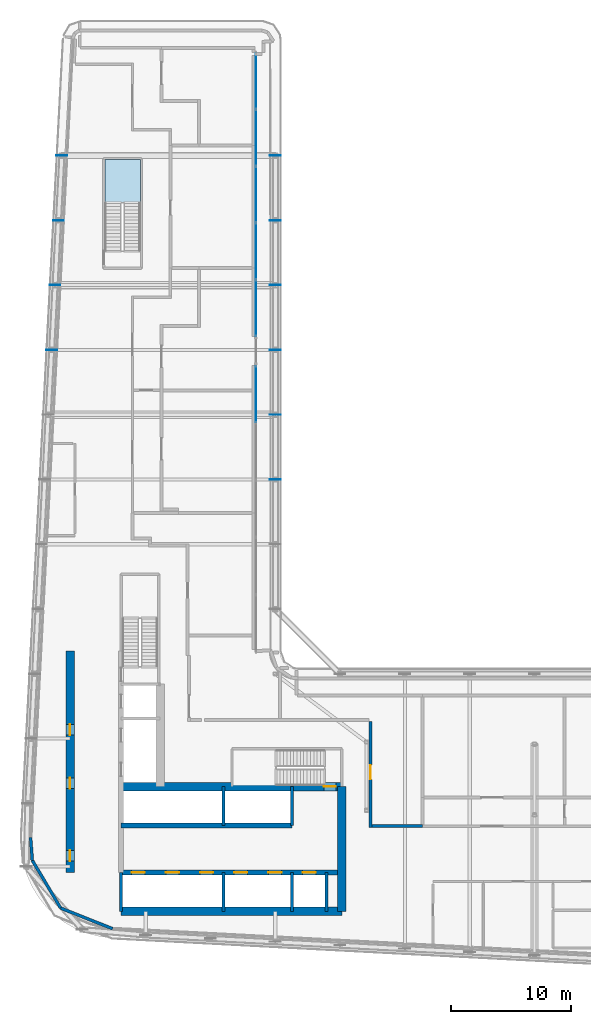
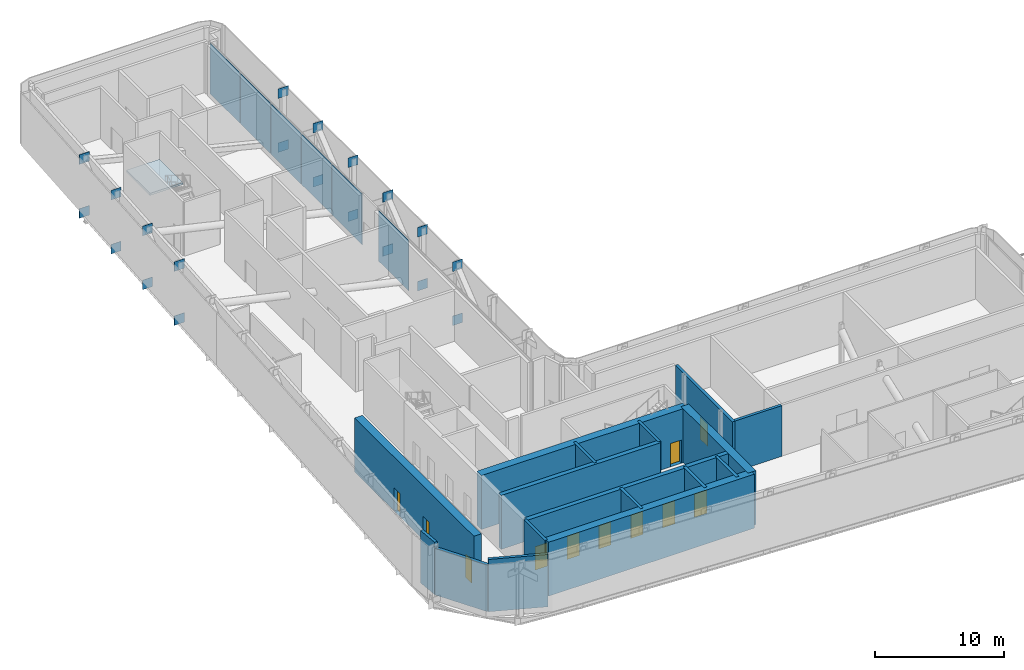
# One storey, part 12 of 23: 26 plates, 17 walls, 11 doors, 1 slab, 11 openings, 3 elements without a shape of their own.
"""IFC4 building model written with IfcOpenShell, lengths in metres."""

from ifc_helpers import new_model, si_unit, direction, frame, frame_2d, origin, origin_2d, place, context, subcontext, project, spatial, polyline, rectangle, outline, extrude, source, transform, mapped, material, layer, layer_set, type_object, element, fill, aggregate, save


model = new_model("IFC4")

# Units and contexts
model_context = context("Model", 3, precision=1e-05, world=origin(), true_north=direction((0.0, 1.0)))
body_context = subcontext(model_context, "Body", "Model", "MODEL_VIEW")
ifc_project = project(units=[si_unit("LENGTHUNIT", "METRE"), si_unit("AREAUNIT", "SQUARE_METRE"), si_unit("VOLUMEUNIT", "CUBIC_METRE"), si_unit("PLANEANGLEUNIT", "RADIAN"), si_unit("MASSUNIT", "GRAM", prefix="KILO")], contexts=[model_context])

# Site, building, storey
site_placement = place(None, origin())
site = spatial("IfcSite", under=ifc_project, at=site_placement, CompositionType="ELEMENT")
building_placement = place(site_placement, origin())
building = spatial("IfcBuilding", under=site, at=building_placement, Name="Kheshtan School and Residences Tower", CompositionType="ELEMENT")
storey_placement = place(building_placement, frame((0.0, 0.0, 211.10009765625)))
storey = spatial("IfcBuildingStorey", under=building, at=storey_placement, Name="L49", CompositionType="ELEMENT", Elevation=211.10009765625)

# Curtain wall, plates
ifc_material_1 = material(Name="Clear low-e glass in thermally broken aluminium frame", Category="aluminium")
ifc_layer_1 = layer(ifc_material_1, 0.25)
ifc_layer_set_1 = layer_set([ifc_layer_1], Name="Curtain wall CW-G")
curtain_wall_type = type_object("IfcCurtainWallType", Name="Curtain wall CW-G", PredefinedType="NOTDEFINED", material=ifc_layer_set_1)
curtain_wall_1_placement = place(storey_placement, origin())
curtain_wall_1 = element("IfcCurtainWall", 1, at=curtain_wall_1_placement, inside=storey, type_object=curtain_wall_type, Name="Curtain wall CWG19", PredefinedType="NOTDEFINED")
ifc_layer_2 = layer(ifc_material_1, 0.0380859375)
ifc_layer_set_2 = layer_set([ifc_layer_2], Name="CW-G glass panel")
plate_type_1 = type_object("IfcPlateType", Name="CW-G glass panel", PredefinedType="CURTAIN_PANEL", material=ifc_layer_set_2)
plate_1_placement = place(storey_placement, frame((46.0, 95.014892578125, 0.0), z_axis=(0.0, 0.0, 1.0), x_axis=(0.0, -1.0, 0.0)))
plate_1 = element("IfcPlate", 2, at=plate_1_placement, type_object=plate_type_1, Name="CWG19 panel 1.1", PredefinedType="CURTAIN_PANEL", context=body_context, shape_type="SweptSolid", body=[
    extrude(rectangle(XDim=4.64990234375, YDim=0.0380859375, at=origin_2d()), origin(), (0.0, 0.0, 1.0), 4.7900390625),
])
ifc_material_2 = material(Name="Insulated terracotta infill panel", Category="masonry")
ifc_layer_3 = layer(ifc_material_2, 0.0380859375)
ifc_layer_set_3 = layer_set([ifc_layer_3], Name="CW-G insulated infill panel")
plate_type_2 = type_object("IfcPlateType", Name="CW-G insulated infill panel", PredefinedType="CURTAIN_PANEL", material=ifc_layer_set_3)
plate_2_placement = place(storey_placement, frame((46.0, 90.2900390625, 0.0), z_axis=(0.0, 0.0, 1.0), x_axis=(0.0, -1.0, 0.0)))
plate_2 = element("IfcPlate", 3, at=plate_2_placement, type_object=plate_type_2, Name="CWG19 infill 2.1", PredefinedType="CURTAIN_PANEL", context=body_context, shape_type="SweptSolid", body=[
    extrude(rectangle(XDim=4.679931640625, YDim=0.0380859375, at=origin_2d()), origin(), (0.0, 0.0, 1.0), 4.7900390625),
])
plate_3_placement = place(storey_placement, frame((46.0, 85.550048828125, 0.0), z_axis=(0.0, 0.0, 1.0), x_axis=(0.0, -1.0, 0.0)))
plate_3 = element("IfcPlate", 4, at=plate_3_placement, type_object=plate_type_2, Name="CWG19 infill 3.1", PredefinedType="CURTAIN_PANEL", context=body_context, shape_type="SweptSolid", body=[
    extrude(rectangle(XDim=4.679931640625, YDim=0.0380859375, at=origin_2d()), origin(), (0.0, 0.0, 1.0), 4.7900390625),
])
plate_4_placement = place(storey_placement, frame((46.0, 80.81005859375, 0.0), z_axis=(0.0, 0.0, 1.0), x_axis=(0.0, -1.0, 0.0)))
plate_4 = element("IfcPlate", 5, at=plate_4_placement, type_object=plate_type_2, Name="CWG19 infill 4.1", PredefinedType="CURTAIN_PANEL", context=body_context, shape_type="SweptSolid", body=[
    extrude(rectangle(XDim=4.679931640625, YDim=0.0380859375, at=origin_2d()), origin(), (0.0, 0.0, 1.0), 4.7900390625),
])
plate_5_placement = place(storey_placement, frame((46.0, 76.0849609375, 0.0), z_axis=(0.0, 0.0, 1.0), x_axis=(0.0, -1.0, 0.0)))
plate_5 = element("IfcPlate", 6, at=plate_5_placement, type_object=plate_type_2, Name="CWG19 infill 5.1", PredefinedType="CURTAIN_PANEL", context=body_context, shape_type="SweptSolid", body=[
    extrude(rectangle(XDim=4.64990234375, YDim=0.0380859375, at=origin_2d()), origin(), (0.0, 0.0, 1.0), 4.7900390625),
])
aggregate(curtain_wall_1, [plate_1, plate_2, plate_3, plate_4, plate_5])

# Curtain wall, plate
curtain_wall_2_placement = place(storey_placement, origin())
curtain_wall_2 = element("IfcCurtainWall", 7, at=curtain_wall_2_placement, inside=storey, type_object=curtain_wall_type, Name="Curtain wall CWG19a", PredefinedType="NOTDEFINED")
plate_6_placement = place(storey_placement, frame((46.0, 68.89794921875, 0.0), z_axis=(0.0, 0.0, 1.0), x_axis=(0.0, -1.0, 0.0)))
plate_6 = element("IfcPlate", 8, at=plate_6_placement, type_object=plate_type_2, Name="CWG19a infill 1.1", PredefinedType="CURTAIN_PANEL", context=body_context, shape_type="SweptSolid", body=[
    extrude(rectangle(XDim=4.68408203125, YDim=0.0380859375, at=origin_2d()), origin(), (0.0, 0.0, 1.0), 4.7900390625),
])
aggregate(curtain_wall_2, [plate_6])

# Plates
ifc_material_3 = material(Name="Steel ASTM A992 Grade 50", Category="steel")
ifc_layer_4 = layer(ifc_material_3, 0.02490234375)
ifc_layer_set_4 = layer_set([ifc_layer_4], Name="Gusset plate 25 Steel ASTM A992 Grade 50")
plate_type_3 = type_object("IfcPlateType", Name="Gusset plate 25 Steel ASTM A992 Grade 50", PredefinedType="SHEET", material=ifc_layer_set_4)
for number, where, z_axis, x_axis, name in (
    (9, (47.60009765625, 88.800048828125, -0.800048828125), (0.0, 0.0, 1.0), (1.0, 0.0, 0.0), "Gusset plate 1"),
    (10, (47.60009765625, 83.39990234375, 4.300048828125), (0.0, 0.0, 1.0), (1.0, 0.0, 0.0), "Gusset plate 2"),
    (11, (47.60009765625, 83.39990234375, -0.800048828125), (0.0, 0.0, 1.0), (1.0, 0.0, 0.0), "Gusset plate 3"),
    (12, (47.60009765625, 78.0, 4.300048828125), (0.0, 0.0, 1.0), (1.0, 0.0, 0.0), "Gusset plate 4"),
    (13, (47.60009765625, 78.0, -0.800048828125), (0.0, 0.0, 1.0), (1.0, 0.0, 0.0), "Gusset plate 5"),
    (14, (47.60009765625, 72.60009765625, 4.300048828125), (0.0, 0.0, 1.0), (1.0, 0.0, 0.0), "Gusset plate 6"),
    (15, (47.60009765625, 72.60009765625, -0.800048828125), (0.0, 0.0, 1.0), (1.0, 0.0, 0.0), "Gusset plate 7"),
    (16, (47.60009765625, 67.199951171875, 4.300048828125), (0.0, 0.0, 1.0), (1.0, 0.0, 0.0), "Gusset plate 8"),
    (17, (47.60009765625, 67.199951171875, -0.800048828125), (0.0, 0.0, 1.0), (1.0, 0.0, 0.0), "Gusset plate 9"),
    (18, (47.60009765625, 61.800048828125, 4.300048828125), (0.0, 0.0, 1.0), (1.0, 0.0, 0.0), "Gusset plate 10"),
    (19, (47.60009765625, 61.800048828125, -0.800048828125), (0.0, 0.0, 1.0), (1.0, 0.0, 0.0), "Gusset plate 11"),
    (20, (28.9580078125, 72.60009765625, 4.300048828125), (0.0, 0.0, 1.0), (1.0, 0.0, 0.0), "Gusset plate 68"),
    (21, (28.9580078125, 72.60009765625, -0.800048828125), (0.0, 0.0, 1.0), (1.0, 0.0, 0.0), "Gusset plate 69"),
    (22, (29.242919921875, 78.0, 4.300048828125), (0.0, 0.0, 1.0), (1.0, 0.0, 0.0), "Gusset plate 70"),
    (23, (29.242919921875, 78.0, -0.800048828125), (0.0, 0.0, 1.0), (1.0, 0.0, 0.0), "Gusset plate 71"),
    (24, (29.527099609375, 83.39990234375, 4.300048828125), (0.0, 0.0, 1.0), (1.0, 0.0, 0.0), "Gusset plate 72"),
    (25, (29.527099609375, 83.39990234375, -0.800048828125), (0.0, 0.0, 1.0), (1.0, 0.0, 0.0), "Gusset plate 73"),
    (26, (29.81103515625, 88.800048828125, 4.300048828125), (0.0, 0.0, 1.0), (1.0, 0.0, 0.0), "Gusset plate 74"),
    (27, (29.81103515625, 88.800048828125, -0.800048828125), (0.0, 0.0, 1.0), (1.0, 0.0, 0.0), "Gusset plate 75"),
    (28, (47.60009765625, 88.800048828125, 4.300048828125), (0.0, 0.0, 1.0), (1.0, 0.0, 0.0), "Gusset plate 76"),
):
    element("IfcPlate", number, at=place(storey_placement, frame(where, z_axis=z_axis, x_axis=x_axis)), inside=storey, type_object=plate_type_3, Name=name, PredefinedType="SHEET", context=body_context, shape_type="SweptSolid", body=[
        extrude(rectangle(XDim=0.89990234375, YDim=0.02490234375, at=origin_2d()), origin(), (0.0, 0.0, 1.0), 0.89990234375),
    ])

# Stair, slab
ifc_material_4 = material(Name="Concrete C40/50", Category="concrete")
stair_type = type_object("IfcStairType", Name="Exit stair, half-turn", PredefinedType="HALF_TURN_STAIR", material=ifc_material_4)
stair_placement = place(storey_placement, origin())
stair = element("IfcStair", 29, at=stair_placement, inside=storey, type_object=stair_type, Name="L49 Protected Exit Stair ST3", PredefinedType="HALF_TURN_STAIR")
ifc_layer_5 = layer(ifc_material_4, 0.199951171875)
ifc_layer_set_5 = layer_set([ifc_layer_5], Name="Stair landing 200 Concrete C40/50")
slab_type = type_object("IfcSlabType", Name="Stair landing 200 Concrete C40/50", PredefinedType="LANDING", material=ifc_layer_set_5)
slab_placement = place(storey_placement, frame((0.0, 0.0, 2.349853515625)))
slab = element("IfcSlab", 30, at=slab_placement, type_object=slab_type, Name="ST3 landing 1", PredefinedType="LANDING", context=body_context, shape_type="SweptSolid", body=[
    extrude(outline(polyline([(36.35009765625, 84.820068359375), (36.35009765625, 88.4599609375), (33.39990234375, 88.4599609375), (33.39990234375, 84.820068359375), (36.35009765625, 84.820068359375)])), origin(), (0.0, 0.0, 1.0), 0.199951171875),
])
aggregate(stair, [slab])

# Wall, openings, doors
ifc_material_5 = material(Name="Concrete C50/60", Category="concrete")
ifc_layer_6 = layer(ifc_material_5, 0.39990234375)
ifc_layer_set_6 = layer_set([ifc_layer_6], Name="Core wall 400 Concrete C50/60")
wall_type_1 = type_object("IfcWallType", Name="Core wall 400 Concrete C50/60", PredefinedType="SHEAR", material=ifc_layer_set_6)
wall_1_placement = place(storey_placement, frame((34.75, 29.050048828125, 0.0), z_axis=(0.0, 0.0, 1.0), x_axis=(1.0, 0.0, 0.0)))
wall_1 = element("IfcWall", 31, at=wall_1_placement, inside=storey, type_object=wall_type_1, Name="Core wall CW-HALL-S1", PredefinedType="SHEAR", context=body_context, shape_type="SweptSolid", body=[
    extrude(rectangle(XDim=18.39990234375, YDim=0.39990234375, at=frame_2d((9.199951171875, 0.0))), origin(), (0.0, 0.0, 1.0), 5.099853515625),
])
opening_1_placement = place(wall_1_placement, frame((0.875, 0.0, 0.0)))
opening_1 = element("IfcOpeningElement", 32, at=opening_1_placement, cuts=wall_1, Name="Opening LD", PredefinedType="OPENING", context=body_context, shape_type="SweptSolid", body=[
    extrude(rectangle(XDim=1.10009765625, YDim=2.199951171875, at=frame_2d((0.550048828125, 1.10009765625))), frame((0.0, 0.2099609375, 0.0), z_axis=(0.0, -1.0, 0.0), x_axis=(1.0, 0.0, 0.0)), (0.0, 0.0, 1.0), 0.419921875),
])
opening_2_placement = place(wall_1_placement, frame((3.72509765625, 0.0, 0.0)))
opening_2 = element("IfcOpeningElement", 33, at=opening_2_placement, cuts=wall_1, Name="Opening LD", PredefinedType="OPENING", context=body_context, shape_type="SweptSolid", body=[
    extrude(rectangle(XDim=1.10009765625, YDim=2.199951171875, at=frame_2d((0.550048828125, 1.10009765625))), frame((0.0, 0.2099609375, 0.0), z_axis=(0.0, -1.0, 0.0), x_axis=(1.0, 0.0, 0.0)), (0.0, 0.0, 1.0), 0.419921875),
])
opening_3_placement = place(wall_1_placement, frame((6.574951171875, 0.0, 0.0)))
opening_3 = element("IfcOpeningElement", 34, at=opening_3_placement, cuts=wall_1, Name="Opening LD", PredefinedType="OPENING", context=body_context, shape_type="SweptSolid", body=[
    extrude(rectangle(XDim=1.10009765625, YDim=2.199951171875, at=frame_2d((0.550048828125, 1.10009765625))), frame((0.0, 0.2099609375, 0.0), z_axis=(0.0, -1.0, 0.0), x_axis=(1.0, 0.0, 0.0)), (0.0, 0.0, 1.0), 0.419921875),
])
opening_4_placement = place(wall_1_placement, frame((9.425048828125, 0.0, 0.0)))
opening_4 = element("IfcOpeningElement", 35, at=opening_4_placement, cuts=wall_1, Name="Opening LD", PredefinedType="OPENING", context=body_context, shape_type="SweptSolid", body=[
    extrude(rectangle(XDim=1.10009765625, YDim=2.199951171875, at=frame_2d((0.550048828125, 1.10009765625))), frame((0.0, 0.2099609375, 0.0), z_axis=(0.0, -1.0, 0.0), x_axis=(1.0, 0.0, 0.0)), (0.0, 0.0, 1.0), 0.419921875),
])
opening_5_placement = place(wall_1_placement, frame((12.27490234375, 0.0, 0.0)))
opening_5 = element("IfcOpeningElement", 36, at=opening_5_placement, cuts=wall_1, Name="Opening LD", PredefinedType="OPENING", context=body_context, shape_type="SweptSolid", body=[
    extrude(rectangle(XDim=1.10009765625, YDim=2.199951171875, at=frame_2d((0.550048828125, 1.10009765625))), frame((0.0, 0.2099609375, 0.0), z_axis=(0.0, -1.0, 0.0), x_axis=(1.0, 0.0, 0.0)), (0.0, 0.0, 1.0), 0.419921875),
])
opening_6_placement = place(wall_1_placement, frame((15.125, 0.0, 0.0)))
opening_6 = element("IfcOpeningElement", 37, at=opening_6_placement, cuts=wall_1, Name="Opening LD", PredefinedType="OPENING", context=body_context, shape_type="SweptSolid", body=[
    extrude(rectangle(XDim=1.10009765625, YDim=2.199951171875, at=frame_2d((0.550048828125, 1.10009765625))), frame((0.0, 0.2099609375, 0.0), z_axis=(0.0, -1.0, 0.0), x_axis=(1.0, 0.0, 0.0)), (0.0, 0.0, 1.0), 0.419921875),
])
ifc_material_6 = material(Name="Stainless steel door leaves", Category="steel")
door_type_1 = type_object("IfcDoorType", Name="Lift landing door 1100", OperationType="SLIDING_TO_LEFT", PredefinedType="DOOR", material=ifc_material_6)
shared_shape_1 = source(origin(), body_context, "Body", "SweptSolid", [
    extrude(rectangle(XDim=1.10009765625, YDim=2.199951171875, at=frame_2d((0.550048828125, 1.10009765625))), frame((0.0, 0.02490234375, 0.0), z_axis=(0.0, -1.0, 0.0), x_axis=(1.0, 0.0, 0.0)), (0.0, 0.0, 1.0), 0.050048828125),
])
door_1_placement = place(opening_1_placement, origin())
door_1 = element("IfcDoor", 38, at=door_1_placement, inside=storey, type_object=door_type_1, Name="Lift P7 landing door", OperationType="SLIDING_TO_LEFT", OverallHeight=2.199951171875, OverallWidth=1.10009765625, PredefinedType="DOOR", context=body_context, shape_type="MappedRepresentation", body=[
    mapped(shared_shape_1, transform((0.0, 0.0, 0.0), x_axis=(1.0, 0.0, 0.0), y_axis=(0.0, 1.0, 0.0), z_axis=(0.0, 0.0, 1.0), scale=1.0)),
])
fill(opening_1, door_1)
door_2_placement = place(opening_2_placement, origin())
door_2 = element("IfcDoor", 39, at=door_2_placement, inside=storey, type_object=door_type_1, Name="Lift P8 landing door", OperationType="SLIDING_TO_LEFT", OverallHeight=2.199951171875, OverallWidth=1.10009765625, PredefinedType="DOOR", context=body_context, shape_type="MappedRepresentation", body=[
    mapped(shared_shape_1, transform((0.0, 0.0, 0.0), x_axis=(1.0, 0.0, 0.0), y_axis=(0.0, 1.0, 0.0), z_axis=(0.0, 0.0, 1.0), scale=1.0)),
])
fill(opening_2, door_2)
door_3_placement = place(opening_3_placement, origin())
door_3 = element("IfcDoor", 40, at=door_3_placement, inside=storey, type_object=door_type_1, Name="Lift P9 landing door", OperationType="SLIDING_TO_LEFT", OverallHeight=2.199951171875, OverallWidth=1.10009765625, PredefinedType="DOOR", context=body_context, shape_type="MappedRepresentation", body=[
    mapped(shared_shape_1, transform((0.0, 0.0, 0.0), x_axis=(1.0, 0.0, 0.0), y_axis=(0.0, 1.0, 0.0), z_axis=(0.0, 0.0, 1.0), scale=1.0)),
])
fill(opening_3, door_3)
door_4_placement = place(opening_4_placement, origin())
door_4 = element("IfcDoor", 41, at=door_4_placement, inside=storey, type_object=door_type_1, Name="Lift P10 landing door", OperationType="SLIDING_TO_LEFT", OverallHeight=2.199951171875, OverallWidth=1.10009765625, PredefinedType="DOOR", context=body_context, shape_type="MappedRepresentation", body=[
    mapped(shared_shape_1, transform((0.0, 0.0, 0.0), x_axis=(1.0, 0.0, 0.0), y_axis=(0.0, 1.0, 0.0), z_axis=(0.0, 0.0, 1.0), scale=1.0)),
])
fill(opening_4, door_4)
door_5_placement = place(opening_5_placement, origin())
door_5 = element("IfcDoor", 42, at=door_5_placement, inside=storey, type_object=door_type_1, Name="Lift P11 landing door", OperationType="SLIDING_TO_LEFT", OverallHeight=2.199951171875, OverallWidth=1.10009765625, PredefinedType="DOOR", context=body_context, shape_type="MappedRepresentation", body=[
    mapped(shared_shape_1, transform((0.0, 0.0, 0.0), x_axis=(1.0, 0.0, 0.0), y_axis=(0.0, 1.0, 0.0), z_axis=(0.0, 0.0, 1.0), scale=1.0)),
])
fill(opening_5, door_5)
door_6_placement = place(opening_6_placement, origin())
door_6 = element("IfcDoor", 43, at=door_6_placement, inside=storey, type_object=door_type_1, Name="Lift FFL2 landing door", OperationType="SLIDING_TO_LEFT", OverallHeight=2.199951171875, OverallWidth=1.10009765625, PredefinedType="DOOR", context=body_context, shape_type="MappedRepresentation", body=[
    mapped(shared_shape_1, transform((0.0, 0.0, 0.0), x_axis=(1.0, 0.0, 0.0), y_axis=(0.0, 1.0, 0.0), z_axis=(0.0, 0.0, 1.0), scale=1.0)),
])
fill(opening_6, door_6)

# Walls
wall_2_placement = place(storey_placement, frame((34.75, 32.949951171875, 0.0), z_axis=(0.0, 0.0, 1.0), x_axis=(1.0, 0.0, 0.0)))
element("IfcWall", 44, at=wall_2_placement, inside=storey, type_object=wall_type_1, Name="Core wall CW-HALL-S2", PredefinedType="SHEAR", context=body_context, shape_type="SweptSolid", body=[
    extrude(rectangle(XDim=14.25, YDim=0.39990234375, at=frame_2d((7.125, 0.0))), origin(), (0.0, 0.0, 1.0), 5.099853515625),
])
ifc_material_7 = material(Name="Concrete C70/85", Category="concrete")
ifc_layer_7 = layer(ifc_material_7, 0.699951171875)
ifc_layer_set_7 = layer_set([ifc_layer_7], Name="Core wall 700 Concrete C70/85")
wall_type_2 = type_object("IfcWallType", Name="Core wall 700 Concrete C70/85", PredefinedType="SHEAR", material=ifc_layer_set_7)
wall_3_placement = place(storey_placement, frame((34.75, 25.800048828125, 0.0), z_axis=(0.0, 0.0, 1.0), x_axis=(1.0, 0.0, 0.0)))
element("IfcWall", 45, at=wall_3_placement, inside=storey, type_object=wall_type_2, Name="Core wall CW-REAR-S", PredefinedType="SHEAR", context=body_context, shape_type="SweptSolid", body=[
    extrude(rectangle(XDim=18.39990234375, YDim=0.699951171875, at=frame_2d((9.199951171875, 0.0))), origin(), (0.0, 0.0, 1.0), 5.099853515625),
])

# Wall, opening, door
wall_4_placement = place(storey_placement, frame((34.75, 36.199951171875, 0.0), z_axis=(0.0, 0.0, 1.0), x_axis=(1.0, 0.0, 0.0)))
wall_4 = element("IfcWall", 46, at=wall_4_placement, inside=storey, type_object=wall_type_2, Name="Core wall CW-FRONT-S", PredefinedType="SHEAR", context=body_context, shape_type="SweptSolid", body=[
    extrude(rectangle(XDim=18.39990234375, YDim=0.699951171875, at=frame_2d((9.199951171875, 0.0))), origin(), (0.0, 0.0, 1.0), 5.099853515625),
])
opening_7_placement = place(wall_4_placement, frame((16.89990234375, 0.0, 0.0)))
opening_7 = element("IfcOpeningElement", 47, at=opening_7_placement, cuts=wall_4, Name="Opening ST1D", PredefinedType="OPENING", context=body_context, shape_type="SweptSolid", body=[
    extrude(rectangle(XDim=1.0, YDim=2.199951171875, at=frame_2d((0.5, 1.10009765625))), frame((0.0, 0.35986328125, 0.0), z_axis=(0.0, -1.0, 0.0), x_axis=(1.0, 0.0, 0.0)), (0.0, 0.0, 1.0), 0.719970703125),
])
ifc_material_8 = material(Name="Steel door leaf, galvanised", Category="steel")
door_type_2 = type_object("IfcDoorType", Name="Stair door 1100 steel 90 min", OperationType="SINGLE_SWING_LEFT", PredefinedType="DOOR", material=ifc_material_8)
shared_shape_2 = source(origin(), body_context, "Body", "SweptSolid", [
    extrude(rectangle(XDim=1.0, YDim=2.199951171875, at=frame_2d((0.5, 1.10009765625))), frame((0.0, 0.02490234375, 0.0), z_axis=(0.0, -1.0, 0.0), x_axis=(1.0, 0.0, 0.0)), (0.0, 0.0, 1.0), 0.050048828125),
])
door_7_placement = place(opening_7_placement, origin())
door_7 = element("IfcDoor", 48, at=door_7_placement, inside=storey, type_object=door_type_2, Name="Stair ST1 door", OperationType="SINGLE_SWING_RIGHT", OverallHeight=2.199951171875, OverallWidth=1.0, PredefinedType="DOOR", context=body_context, shape_type="MappedRepresentation", body=[
    mapped(shared_shape_2, transform((0.0, 0.0, 0.0), x_axis=(1.0, 0.0, 0.0), y_axis=(0.0, 1.0, 0.0), z_axis=(0.0, 0.0, 1.0), scale=1.0)),
])
fill(opening_7, door_7)

# Wall, openings, doors
wall_5_placement = place(storey_placement, frame((30.5, 29.050048828125, 0.0), z_axis=(0.0, 0.0, 1.0), x_axis=(0.0, 1.0, 0.0)))
wall_5 = element("IfcWall", 49, at=wall_5_placement, inside=storey, type_object=wall_type_2, Name="Core wall CW-REAR-W", PredefinedType="SHEAR", context=body_context, shape_type="SweptSolid", body=[
    extrude(rectangle(XDim=18.449951171875, YDim=0.699951171875, at=frame_2d((9.22509765625, 0.0))), origin(), (0.0, 0.0, 1.0), 5.099853515625),
])
opening_8_placement = place(wall_5_placement, frame((0.944091796875, 0.0, 0.0)))
opening_8 = element("IfcOpeningElement", 50, at=opening_8_placement, cuts=wall_5, Name="Opening SR90", PredefinedType="OPENING", context=body_context, shape_type="SweptSolid", body=[
    extrude(rectangle(XDim=0.89990234375, YDim=2.199951171875, at=frame_2d((0.449951171875, 1.10009765625))), frame((0.0, 0.35986328125, 0.0), z_axis=(0.0, -1.0, 0.0), x_axis=(1.0, 0.0, 0.0)), (0.0, 0.0, 1.0), 0.719970703125),
])
opening_9_placement = place(wall_5_placement, frame((6.97509765625, 0.0, 0.0)))
opening_9 = element("IfcOpeningElement", 51, at=opening_9_placement, cuts=wall_5, Name="Opening SR90", PredefinedType="OPENING", context=body_context, shape_type="SweptSolid", body=[
    extrude(rectangle(XDim=0.89990234375, YDim=2.199951171875, at=frame_2d((0.449951171875, 1.10009765625))), frame((0.0, 0.35986328125, 0.0), z_axis=(0.0, -1.0, 0.0), x_axis=(1.0, 0.0, 0.0)), (0.0, 0.0, 1.0), 0.719970703125),
])
opening_10_placement = place(wall_5_placement, frame((11.449951171875, 0.0, 0.0)))
opening_10 = element("IfcOpeningElement", 52, at=opening_10_placement, cuts=wall_5, Name="Opening SR90", PredefinedType="OPENING", context=body_context, shape_type="SweptSolid", body=[
    extrude(rectangle(XDim=0.89990234375, YDim=2.199951171875, at=frame_2d((0.449951171875, 1.10009765625))), frame((0.0, 0.35986328125, 0.0), z_axis=(0.0, -1.0, 0.0), x_axis=(1.0, 0.0, 0.0)), (0.0, 0.0, 1.0), 0.719970703125),
])
door_type_3 = type_object("IfcDoorType", Name="Service room door 900 steel 90 min", OperationType="SINGLE_SWING_LEFT", PredefinedType="DOOR", material=ifc_material_8)
shared_shape_3 = source(origin(), body_context, "Body", "SweptSolid", [
    extrude(rectangle(XDim=0.89990234375, YDim=2.199951171875, at=frame_2d((0.449951171875, 1.10009765625))), frame((0.0, 0.02490234375, 0.0), z_axis=(0.0, -1.0, 0.0), x_axis=(1.0, 0.0, 0.0)), (0.0, 0.0, 1.0), 0.050048828125),
])
door_8_placement = place(opening_8_placement, origin())
door_8 = element("IfcDoor", 53, at=door_8_placement, inside=storey, type_object=door_type_3, Name="Service room door", OperationType="SINGLE_SWING_LEFT", OverallHeight=2.199951171875, OverallWidth=0.89990234375, PredefinedType="DOOR", context=body_context, shape_type="MappedRepresentation", body=[
    mapped(shared_shape_3, transform((0.0, 0.0, 0.0), x_axis=(1.0, 0.0, 0.0), y_axis=(0.0, 1.0, 0.0), z_axis=(0.0, 0.0, 1.0), scale=1.0)),
])
fill(opening_8, door_8)
door_9_placement = place(opening_9_placement, origin())
door_9 = element("IfcDoor", 54, at=door_9_placement, inside=storey, type_object=door_type_3, Name="Service room door", OperationType="SINGLE_SWING_RIGHT", OverallHeight=2.199951171875, OverallWidth=0.89990234375, PredefinedType="DOOR", context=body_context, shape_type="MappedRepresentation", body=[
    mapped(shared_shape_3, transform((0.0, 0.0, 0.0), x_axis=(1.0, 0.0, 0.0), y_axis=(0.0, 1.0, 0.0), z_axis=(0.0, 0.0, 1.0), scale=1.0)),
])
fill(opening_9, door_9)
door_10_placement = place(opening_10_placement, origin())
door_10 = element("IfcDoor", 55, at=door_10_placement, inside=storey, type_object=door_type_3, Name="Service room door", OperationType="SINGLE_SWING_RIGHT", OverallHeight=2.199951171875, OverallWidth=0.89990234375, PredefinedType="DOOR", context=body_context, shape_type="MappedRepresentation", body=[
    mapped(shared_shape_3, transform((0.0, 0.0, 0.0), x_axis=(1.0, 0.0, 0.0), y_axis=(0.0, 1.0, 0.0), z_axis=(0.0, 0.0, 1.0), scale=1.0)),
])
fill(opening_10, door_10)

# Walls
wall_6_placement = place(storey_placement, frame((53.14990234375, 25.800048828125, 0.0), z_axis=(0.0, 0.0, 1.0), x_axis=(0.0, 1.0, 0.0)))
element("IfcWall", 56, at=wall_6_placement, inside=storey, type_object=wall_type_2, Name="Core wall CW-EAST", PredefinedType="SHEAR", context=body_context, shape_type="SweptSolid", body=[
    extrude(rectangle(XDim=10.39990234375, YDim=0.699951171875, at=frame_2d((5.199951171875, 0.0))), origin(), (0.0, 0.0, 1.0), 5.099853515625),
])
ifc_material_9 = material(Name="Concrete C40/50 with ceramic cladding and mineral wool insulation", Category="concrete")
ifc_layer_8 = layer(ifc_material_9, 0.25)
ifc_layer_set_8 = layer_set([ifc_layer_8], Name="External wall 250 ceramic clad")
wall_type_3 = type_object("IfcWallType", Name="External wall 250 ceramic clad", PredefinedType="SOLIDWALL", material=ifc_layer_set_8)
wall_7_placement = place(storey_placement, frame((34.0390625, 24.35302734375, 0.0), z_axis=(0.0, 0.0, 1.0), x_axis=(-0.929352825399, 0.369192803184, 0.0)))
element("IfcWall", 57, at=wall_7_placement, inside=storey, type_object=wall_type_3, Name="External wall L49 7", PredefinedType="SOLIDWALL", context=body_context, shape_type="SweptSolid", body=[
    extrude(rectangle(XDim=4.656005859375, YDim=0.25, at=frame_2d((2.328125, 0.0))), origin(), (0.0, 0.0, 1.0), 4.949951171875),
])
wall_8_placement = place(storey_placement, frame((29.7119140625, 26.072021484375, 0.0), z_axis=(0.0, 0.0, 1.0), x_axis=(-0.511028049012, 0.859564036662, 0.0)))
element("IfcWall", 58, at=wall_8_placement, inside=storey, type_object=wall_type_3, Name="External wall L49 8", PredefinedType="SOLIDWALL", context=body_context, shape_type="SweptSolid", body=[
    extrude(rectangle(XDim=4.633544921875, YDim=0.25, at=frame_2d((2.31689453125, 0.0))), origin(), (0.0, 0.0, 1.0), 4.4169921875),
])
wall_9_placement = place(storey_placement, frame((27.343994140625, 30.054931640625, 0.0), z_axis=(0.0, 0.0, 1.0), x_axis=(-0.077571675317, 0.99698677784, 0.0)))
element("IfcWall", 59, at=wall_9_placement, inside=storey, type_object=wall_type_3, Name="External wall L49 9", PredefinedType="SOLIDWALL", context=body_context, shape_type="SweptSolid", body=[
    extrude(rectangle(XDim=1.919921875, YDim=0.25, at=frame_2d((0.9599609375, 0.0))), origin(), (0.0, 0.0, 1.0), 4.949951171875),
])

# Wall, opening, door
ifc_material_10 = material(Name="Fire-board and steel stud wall with mineral wool", Category="steel")
ifc_layer_9 = layer(ifc_material_10, 0.25)
ifc_layer_set_9 = layer_set([ifc_layer_9], Name="Plant room wall 250")
wall_type_4 = type_object("IfcWallType", Name="Plant room wall 250", PredefinedType="PARTITIONING", material=ifc_layer_set_9)
wall_10_placement = place(storey_placement, frame((55.550048828125, 32.77490234375, 0.0), z_axis=(0.0, 0.0, 1.0), x_axis=(0.0, 1.0, 0.0)))
wall_10 = element("IfcWall", 60, at=wall_10_placement, inside=storey, type_object=wall_type_4, Name="Partition L49-051", PredefinedType="PARTITIONING", context=body_context, shape_type="SweptSolid", body=[
    extrude(rectangle(XDim=8.85009765625, YDim=0.25, at=frame_2d((4.425048828125, 0.0))), origin(), (0.0, 0.0, 1.0), 4.7998046875),
])
opening_11_placement = place(wall_10_placement, frame((4.02490234375, 0.0, 0.0)))
opening_11 = element("IfcOpeningElement", 61, at=opening_11_placement, cuts=wall_10, Name="Opening D49-001", PredefinedType="OPENING", context=body_context, shape_type="SweptSolid", body=[
    extrude(rectangle(XDim=1.199951171875, YDim=2.10009765625, at=frame_2d((0.60009765625, 1.050048828125))), frame((0.0, 0.135009765625, 0.0), z_axis=(0.0, -1.0, 0.0), x_axis=(1.0, 0.0, 0.0)), (0.0, 0.0, 1.0), 0.27001953125),
])
ifc_material_11 = material(Name="Steel-framed fire-resisting door leaf", Category="steel")
door_type_4 = type_object("IfcDoorType", Name="Fire door FD120 1200 x 2100", OperationType="SINGLE_SWING_LEFT", PredefinedType="DOOR", material=ifc_material_11)
shared_shape_4 = source(origin(), body_context, "Body", "SweptSolid", [
    extrude(rectangle(XDim=1.199951171875, YDim=2.10009765625, at=frame_2d((0.60009765625, 1.050048828125))), frame((0.0, 0.02490234375, 0.0), z_axis=(0.0, -1.0, 0.0), x_axis=(1.0, 0.0, 0.0)), (0.0, 0.0, 1.0), 0.050048828125),
])
door_11_placement = place(opening_11_placement, origin())
door_11 = element("IfcDoor", 62, at=door_11_placement, inside=storey, type_object=door_type_4, Name="Door D49-001", OperationType="SINGLE_SWING_LEFT", OverallHeight=2.10009765625, OverallWidth=1.199951171875, PredefinedType="DOOR", context=body_context, shape_type="MappedRepresentation", body=[
    mapped(shared_shape_4, transform((0.0, 0.0, 0.0), x_axis=(1.0, 0.0, 0.0), y_axis=(0.0, 1.0, 0.0), z_axis=(0.0, 0.0, 1.0), scale=1.0)),
])
fill(opening_11, door_11)

# Walls
wall_11_placement = place(storey_placement, frame((55.675048828125, 32.89990234375, 0.0), z_axis=(0.0, 0.0, 1.0), x_axis=(1.0, 0.0, 0.0)))
element("IfcWall", 63, at=wall_11_placement, inside=storey, type_object=wall_type_4, Name="Partition L49-052", PredefinedType="PARTITIONING", context=body_context, shape_type="SweptSolid", body=[
    extrude(rectangle(XDim=4.177978515625, YDim=0.25, at=frame_2d((2.0888671875, 0.0))), origin(), (0.0, 0.0, 1.0), 4.7998046875),
])
ifc_material_12 = material(Name="Fire-board shaft wall system")
ifc_layer_10 = layer(ifc_material_12, 0.25)
ifc_layer_set_10 = layer_set([ifc_layer_10], Name="Shaft lining wall 250")
wall_type_5 = type_object("IfcWallType", Name="Shaft lining wall 250", PredefinedType="PARTITIONING", material=ifc_layer_set_10)
for number, where, z_axis, x_axis, name in (
    (64, (34.75, 25.800048828125, 0.0), (0.0, 0.0, 1.0), (0.0, 1.0, 0.0), "Shaft lining wall"),
    (65, (43.300048828125, 25.800048828125, 0.0), (0.0, 0.0, 1.0), (0.0, 1.0, 0.0), "Shaft lining wall"),
    (66, (43.300048828125, 32.949951171875, 0.0), (0.0, 0.0, 1.0), (0.0, 1.0, 0.0), "Shaft lining wall"),
    (67, (49.0, 25.800048828125, 0.0), (0.0, 0.0, 1.0), (0.0, 1.0, 0.0), "Shaft lining wall"),
    (68, (49.0, 32.949951171875, 0.0), (0.0, 0.0, 1.0), (0.0, 1.0, 0.0), "Shaft lining wall"),
    (69, (51.85009765625, 25.800048828125, 0.0), (0.0, 0.0, 1.0), (0.0, 1.0, 0.0), "Shaft lining wall"),
):
    element("IfcWall", number, at=place(storey_placement, frame(where, z_axis=z_axis, x_axis=x_axis)), inside=storey, type_object=wall_type_5, Name=name, PredefinedType="PARTITIONING", context=body_context, shape_type="SweptSolid", body=[
        extrude(rectangle(XDim=3.25, YDim=0.25, at=frame_2d((1.625, 0.0))), origin(), (0.0, 0.0, 1.0), 5.099853515625),
    ])

save(model, "model.ifc")
